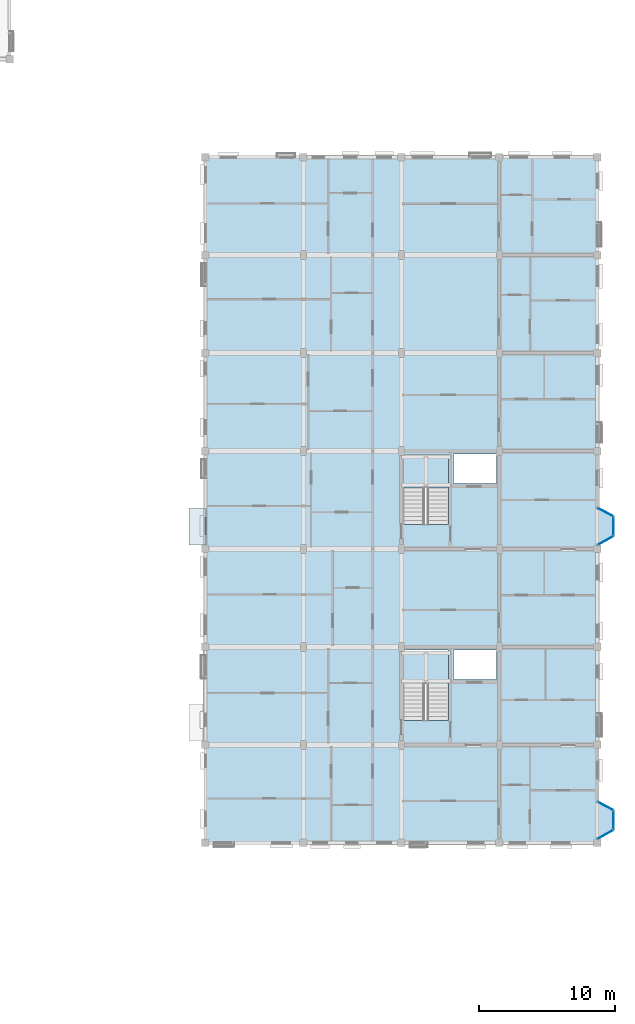
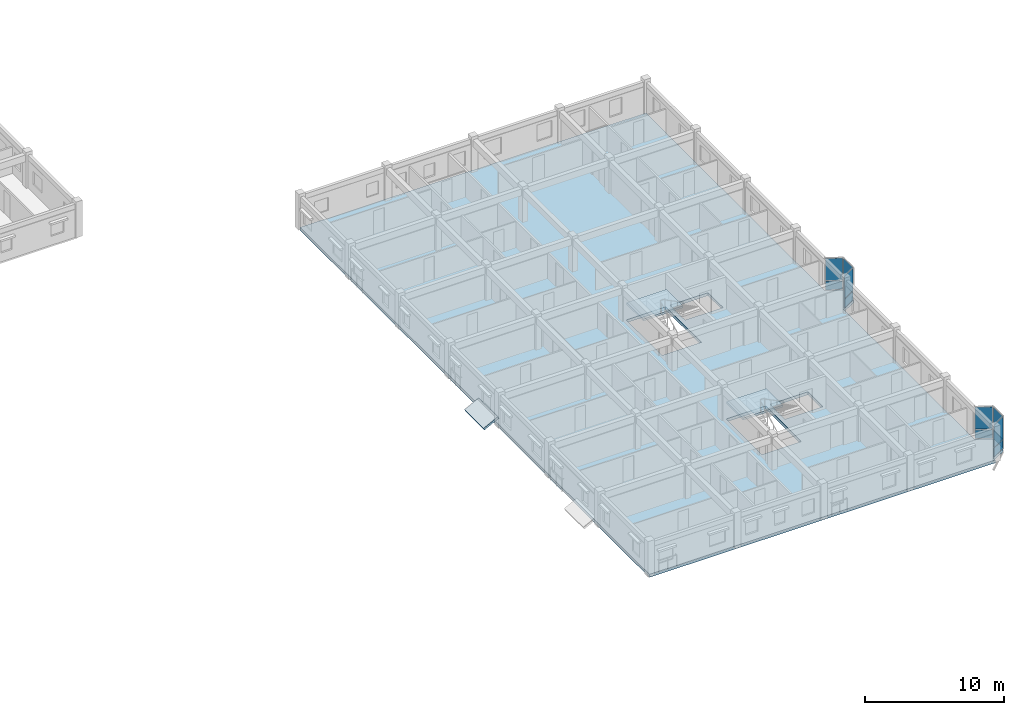
# One storey, part 43 of 75: 12 plates, 4 slabs, 8 elements without a shape of their own.
"""IFC4 building model written with IfcOpenShell, lengths in metres."""

from ifc_helpers import new_model, si_unit, direction, frame, origin, origin_2d, place, context, subcontext, project, spatial, polyline, rectangle, outline, extrude, material, layer, layer_set, type_object, element, aggregate, save


model = new_model("IFC4")

# Units and contexts
model_context = context("Model", 3, precision=1e-05, world=origin(), true_north=direction((0.0, 1.0)))
body_context = subcontext(model_context, "Body", "Model", "MODEL_VIEW")
ifc_project = project(units=[si_unit("LENGTHUNIT", "METRE"), si_unit("AREAUNIT", "SQUARE_METRE"), si_unit("VOLUMEUNIT", "CUBIC_METRE"), si_unit("PLANEANGLEUNIT", "RADIAN"), si_unit("MASSUNIT", "GRAM", prefix="KILO"), si_unit("THERMODYNAMICTEMPERATUREUNIT", "KELVIN"), si_unit("POWERUNIT", "WATT")], contexts=[model_context])

# Site, building, storey
site_placement = place(None, origin())
site = spatial("IfcSite", under=ifc_project, at=site_placement, CompositionType="ELEMENT")
building_placement = place(site_placement, origin())
building = spatial("IfcBuilding", under=site, at=building_placement, Name="Tavuni Mirador Residences", CompositionType="ELEMENT")
storey_placement = place(building_placement, frame((0.0, 0.0, 20.25)))
storey = spatial("IfcBuildingStorey", under=building, at=storey_placement, Name="L06", CompositionType="ELEMENT", Elevation=20.25)

# Curtain wall, plate
ifc_material_1 = material(Name="Anodised aluminium", Category="aluminium")
ifc_layer_1 = layer(ifc_material_1, 0.1650390625, Name="Anodised aluminium", Category="aluminium")
ifc_layer_set_1 = layer_set([ifc_layer_1], Name="Anodised aluminium")
curtain_wall_type_1 = type_object("IfcCurtainWallType", Name="CWT-MIR-A", PredefinedType="NOTDEFINED", material=ifc_layer_set_1)
curtain_wall_1_placement = place(storey_placement, origin())
curtain_wall_1 = element("IfcCurtainWall", 1, at=curtain_wall_1_placement, inside=storey, type_object=curtain_wall_type_1, Name="CW-MIR-D-E1-L06-M2", PredefinedType="NOTDEFINED")
ifc_material_2 = material(Name="Laminated solar-control glass", Category="glass")
ifc_layer_2 = layer(ifc_material_2, 0.02392578125, Name="Laminated solar-control glass", Category="glass")
ifc_layer_set_2 = layer_set([ifc_layer_2], Name="Laminated solar-control glass")
plate_type_1 = type_object("IfcPlateType", Name="CWP-GL24", PredefinedType="CURTAIN_PANEL", material=ifc_layer_set_2)
plate_1_placement = place(storey_placement, frame((119.39990234375, 89.10009765625, 0.8798828125), z_axis=(0.0, 0.0, 1.0), x_axis=(-0.882352941175, 0.470588235296, 0.0)))
plate_1 = element("IfcPlate", 2, at=plate_1_placement, type_object=plate_type_1, Name="CW-01 panel 1.2", PredefinedType="CURTAIN_PANEL", context=body_context, shape_type="SweptSolid", body=[
    extrude(rectangle(XDim=1.239990234375, YDim=0.02392578125, at=origin_2d()), origin(), (0.0, 0.0, 1.0), 1.949951171875),
])

ifc_layer_3 = layer(ifc_material_1, 0.14990234375, Name="Anodised aluminium", Category="aluminium")
ifc_layer_set_3 = layer_set([ifc_layer_3], Name="Anodised aluminium")
curtain_wall_type_2 = type_object("IfcCurtainWallType", Name="CWT-MIR-B", PredefinedType="NOTDEFINED", material=ifc_layer_set_3)
curtain_wall_2_placement = place(storey_placement, origin())
curtain_wall_2 = element("IfcCurtainWall", 3, at=curtain_wall_2_placement, inside=storey, type_object=curtain_wall_type_2, Name="CW-MIR-D-E2-L06-M1", PredefinedType="NOTDEFINED")
ifc_layer_4 = layer(ifc_material_2, 0.028076171875, Name="Laminated solar-control glass", Category="glass")
ifc_layer_set_4 = layer_set([ifc_layer_4], Name="Laminated solar-control glass")
plate_type_2 = type_object("IfcPlateType", Name="CWP-GL28", PredefinedType="CURTAIN_PANEL", material=ifc_layer_set_4)
plate_2_placement = place(storey_placement, frame((119.39990234375, 108.617431640625, 0.882568359375), z_axis=(0.0, 0.0, 1.0), x_axis=(0.868465738194, 0.495749192217, 0.0)))
plate_2 = element("IfcPlate", 4, at=plate_2_placement, type_object=plate_type_2, Name="CW-02 panel 1.2", PredefinedType="CURTAIN_PANEL", context=body_context, shape_type="SweptSolid", body=[
    extrude(rectangle(XDim=1.251708984375, YDim=0.028076171875, at=origin_2d()), origin(), (0.0, 0.0, 1.0), 1.9423828125),
])

ifc_layer_5 = layer(ifc_material_1, 0.175048828125, Name="Anodised aluminium", Category="aluminium")
ifc_layer_set_5 = layer_set([ifc_layer_5], Name="Anodised aluminium")
curtain_wall_type_3 = type_object("IfcCurtainWallType", Name="CWT-MIR-C", PredefinedType="NOTDEFINED", material=ifc_layer_set_5)
curtain_wall_3_placement = place(storey_placement, origin())
curtain_wall_3 = element("IfcCurtainWall", 5, at=curtain_wall_3_placement, inside=storey, type_object=curtain_wall_type_3, Name="CW-MIR-D-E1-L06-M1", PredefinedType="NOTDEFINED")
ifc_layer_6 = layer(ifc_material_2, 0.031982421875, Name="Laminated solar-control glass", Category="glass")
ifc_layer_set_6 = layer_set([ifc_layer_6], Name="Laminated solar-control glass")
plate_type_3 = type_object("IfcPlateType", Name="CWP-GL32", PredefinedType="CURTAIN_PANEL", material=ifc_layer_set_6)
plate_3_placement = place(storey_placement, frame((119.39990234375, 87.017578125, 0.8798828125), z_axis=(0.0, 0.0, 1.0), x_axis=(0.868465738194, 0.495749192217, 0.0)))
plate_3 = element("IfcPlate", 6, at=plate_3_placement, type_object=plate_type_3, Name="CW-03 panel 1.2", PredefinedType="CURTAIN_PANEL", context=body_context, shape_type="SweptSolid", body=[
    extrude(rectangle(XDim=1.26171875, YDim=0.031982421875, at=origin_2d()), origin(), (0.0, 0.0, 1.0), 1.949951171875),
])

curtain_wall_4_placement = place(storey_placement, origin())
curtain_wall_4 = element("IfcCurtainWall", 7, at=curtain_wall_4_placement, inside=storey, type_object=curtain_wall_type_3, Name="CW-MIR-D-E2-L06-MF", PredefinedType="NOTDEFINED")
plate_4_placement = place(storey_placement, frame((120.0, 109.669921875, 0.8798828125), z_axis=(0.0, 0.0, 1.0), x_axis=(0.0, 1.0, 0.0)))
plate_4 = element("IfcPlate", 8, at=plate_4_placement, type_object=plate_type_3, Name="CW-03 panel 1.2", PredefinedType="CURTAIN_PANEL", context=body_context, shape_type="SweptSolid", body=[
    extrude(rectangle(XDim=1.300048828125, YDim=0.031982421875, at=origin_2d()), origin(), (0.0, 0.0, 1.0), 1.949951171875),
])

ifc_layer_7 = layer(ifc_material_1, 0.159912109375, Name="Anodised aluminium", Category="aluminium")
ifc_layer_set_7 = layer_set([ifc_layer_7], Name="Anodised aluminium")
curtain_wall_type_4 = type_object("IfcCurtainWallType", Name="CWT-MIR-D", PredefinedType="NOTDEFINED", material=ifc_layer_set_7)
curtain_wall_5_placement = place(storey_placement, origin())
curtain_wall_5 = element("IfcCurtainWall", 9, at=curtain_wall_5_placement, inside=storey, type_object=curtain_wall_type_4, Name="CW-MIR-D-E1-L06-MF", PredefinedType="NOTDEFINED")
ifc_layer_8 = layer(ifc_material_2, 0.035888671875, Name="Laminated solar-control glass", Category="glass")
ifc_layer_set_8 = layer_set([ifc_layer_8], Name="Laminated solar-control glass")
plate_type_4 = type_object("IfcPlateType", Name="CWP-GL36", PredefinedType="CURTAIN_PANEL", material=ifc_layer_set_8)
plate_5_placement = place(storey_placement, frame((120.0, 88.070068359375, 0.882568359375), z_axis=(0.0, 0.0, 1.0), x_axis=(0.0, 1.0, 0.0)))
plate_5 = element("IfcPlate", 10, at=plate_5_placement, type_object=plate_type_4, Name="CW-04 panel 1.2", PredefinedType="CURTAIN_PANEL", context=body_context, shape_type="SweptSolid", body=[
    extrude(rectangle(XDim=1.2900390625, YDim=0.035888671875, at=origin_2d()), origin(), (0.0, 0.0, 1.0), 1.9423828125),
])

curtain_wall_6_placement = place(storey_placement, origin())
curtain_wall_6 = element("IfcCurtainWall", 11, at=curtain_wall_6_placement, inside=storey, type_object=curtain_wall_type_4, Name="CW-MIR-D-E2-L06-M2", PredefinedType="NOTDEFINED")
plate_6_placement = place(storey_placement, frame((119.39990234375, 110.699951171875, 0.882568359375), z_axis=(0.0, 0.0, 1.0), x_axis=(-0.882352941175, 0.470588235296, 0.0)))
plate_6 = element("IfcPlate", 12, at=plate_6_placement, type_object=plate_type_4, Name="CW-04 panel 1.2", PredefinedType="CURTAIN_PANEL", context=body_context, shape_type="SweptSolid", body=[
    extrude(rectangle(XDim=1.22998046875, YDim=0.035888671875, at=origin_2d()), origin(), (0.0, 0.0, 1.0), 1.9423828125),
])

# Plate
ifc_material_3 = material(Name="Ceramic trencadis mosaic panel", Category="masonry")
ifc_layer_9 = layer(ifc_material_3, 0.0419921875, Name="Ceramic trencadis mosaic panel", Category="masonry")
ifc_layer_set_9 = layer_set([ifc_layer_9], Name="Ceramic trencadis mosaic panel")
plate_type_5 = type_object("IfcPlateType", Name="CWP-SP42", PredefinedType="CURTAIN_PANEL", material=ifc_layer_set_9)
plate_7_placement = place(storey_placement, frame((119.39990234375, 87.017578125, 0.06005859375), z_axis=(0.0, 0.0, 1.0), x_axis=(0.868465738194, 0.495749192217, 0.0)))
plate_7 = element("IfcPlate", 13, at=plate_7_placement, type_object=plate_type_5, Name="CW-03 panel 1.1", PredefinedType="CURTAIN_PANEL", context=body_context, shape_type="SweptSolid", body=[
    extrude(rectangle(XDim=1.26171875, YDim=0.0419921875, at=origin_2d()), origin(), (0.0, 0.0, 1.0), 0.760009765625),
])

aggregate(curtain_wall_3, [plate_7, plate_3])

plate_8_placement = place(storey_placement, frame((119.39990234375, 89.10009765625, 0.06005859375), z_axis=(0.0, 0.0, 1.0), x_axis=(-0.882352941175, 0.470588235296, 0.0)))
plate_8 = element("IfcPlate", 14, at=plate_8_placement, type_object=plate_type_5, Name="CW-01 panel 1.1", PredefinedType="CURTAIN_PANEL", context=body_context, shape_type="SweptSolid", body=[
    extrude(rectangle(XDim=1.239990234375, YDim=0.0419921875, at=origin_2d()), origin(), (0.0, 0.0, 1.0), 0.760009765625),
])

aggregate(curtain_wall_1, [plate_8, plate_1])

plate_9_placement = place(storey_placement, frame((120.0, 109.669921875, 0.06005859375), z_axis=(0.0, 0.0, 1.0), x_axis=(0.0, 1.0, 0.0)))
plate_9 = element("IfcPlate", 15, at=plate_9_placement, type_object=plate_type_5, Name="CW-03 panel 1.1", PredefinedType="CURTAIN_PANEL", context=body_context, shape_type="SweptSolid", body=[
    extrude(rectangle(XDim=1.300048828125, YDim=0.0419921875, at=origin_2d()), origin(), (0.0, 0.0, 1.0), 0.760009765625),
])

aggregate(curtain_wall_4, [plate_9, plate_4])

ifc_layer_10 = layer(ifc_material_3, 0.048095703125, Name="Ceramic trencadis mosaic panel", Category="masonry")
ifc_layer_set_10 = layer_set([ifc_layer_10], Name="Ceramic trencadis mosaic panel")
plate_type_6 = type_object("IfcPlateType", Name="CWP-SP48", PredefinedType="CURTAIN_PANEL", material=ifc_layer_set_10)
plate_10_placement = place(storey_placement, frame((120.0, 88.070068359375, 0.06494140625), z_axis=(0.0, 0.0, 1.0), x_axis=(0.0, 1.0, 0.0)))
plate_10 = element("IfcPlate", 16, at=plate_10_placement, type_object=plate_type_6, Name="CW-04 panel 1.1", PredefinedType="CURTAIN_PANEL", context=body_context, shape_type="SweptSolid", body=[
    extrude(rectangle(XDim=1.2900390625, YDim=0.048095703125, at=origin_2d()), origin(), (0.0, 0.0, 1.0), 0.75244140625),
])

aggregate(curtain_wall_5, [plate_10, plate_5])

plate_11_placement = place(storey_placement, frame((119.39990234375, 108.617431640625, 0.06494140625), z_axis=(0.0, 0.0, 1.0), x_axis=(0.868465738194, 0.495749192217, 0.0)))
plate_11 = element("IfcPlate", 17, at=plate_11_placement, type_object=plate_type_6, Name="CW-02 panel 1.1", PredefinedType="CURTAIN_PANEL", context=body_context, shape_type="SweptSolid", body=[
    extrude(rectangle(XDim=1.251708984375, YDim=0.048095703125, at=origin_2d()), origin(), (0.0, 0.0, 1.0), 0.75244140625),
])

aggregate(curtain_wall_2, [plate_11, plate_2])

plate_12_placement = place(storey_placement, frame((119.39990234375, 110.699951171875, 0.06494140625), z_axis=(0.0, 0.0, 1.0), x_axis=(-0.882352941175, 0.470588235296, 0.0)))
plate_12 = element("IfcPlate", 18, at=plate_12_placement, type_object=plate_type_6, Name="CW-04 panel 1.1", PredefinedType="CURTAIN_PANEL", context=body_context, shape_type="SweptSolid", body=[
    extrude(rectangle(XDim=1.22998046875, YDim=0.048095703125, at=origin_2d()), origin(), (0.0, 0.0, 1.0), 0.75244140625),
])

aggregate(curtain_wall_6, [plate_12, plate_6])

# Slab
ifc_material_4 = material(Name="Prestressed concrete C45/55", Category="concrete")
ifc_layer_11 = layer(ifc_material_4, 0.260009765625, Name="Prestressed concrete C45/55", Category="concrete")
ifc_layer_set_11 = layer_set([ifc_layer_11], Name="Prestressed concrete C45/55")
slab_type_1 = type_object("IfcSlabType", Name="SLT-FLR260", PredefinedType="FLOOR", material=ifc_layer_set_11)
slab_1_placement = place(storey_placement, frame((0.0, 0.0, -0.260009765625)))
element("IfcSlab", 19, at=slab_1_placement, inside=storey, type_object=slab_type_1, Name="SLB-BLK-D-L06", PredefinedType="FLOOR", context=body_context, shape_type="SweptSolid", body=[
    extrude(outline(polyline([(90.0, 86.39990234375), (118.800048828125, 86.39990234375), (118.800048828125, 86.675048828125), (120.0, 87.360107421875), (120.0, 88.780029296875), (118.800048828125, 89.419921875), (118.800048828125, 108.27490234375), (120.0, 108.9599609375), (120.0, 110.3798828125), (118.800048828125, 111.02001953125), (118.800048828125, 136.800048828125), (90.0, 136.800048828125), (90.0, 86.39990234375)]), holes=[polyline([(104.56005859375, 95.407958984375), (107.840087890625, 95.407958984375), (107.840087890625, 100.56005859375), (104.56005859375, 100.56005859375), (104.56005859375, 95.407958984375)]), polyline([(108.219970703125, 98.419921875), (111.3798828125, 98.419921875), (111.3798828125, 100.580078125), (108.219970703125, 100.580078125), (108.219970703125, 98.419921875)]), polyline([(104.56005859375, 109.80810546875), (107.840087890625, 109.80810546875), (107.840087890625, 114.9599609375), (104.56005859375, 114.9599609375), (104.56005859375, 109.80810546875)]), polyline([(108.219970703125, 112.820068359375), (111.3798828125, 112.820068359375), (111.3798828125, 114.97998046875), (108.219970703125, 114.97998046875), (108.219970703125, 112.820068359375)])]), origin(), (0.0, 0.0, 1.0), 0.260009765625),
])

# Stair, slab
ifc_material_5 = material(Name="Precast concrete C40/50", Category="concrete")
stair_type = type_object("IfcStairType", Name="STT-TYP", PredefinedType="HALF_TURN_STAIR", material=ifc_material_5)
stair_1_placement = place(storey_placement, origin())
stair_1 = element("IfcStair", 20, at=stair_1_placement, inside=storey, type_object=stair_type, Name="Protected exit stair ST7 (L06)", PredefinedType="HALF_TURN_STAIR")
ifc_layer_12 = layer(ifc_material_5, 0.179931640625, Name="Precast concrete C40/50", Category="concrete")
ifc_layer_set_12 = layer_set([ifc_layer_12], Name="Precast concrete C40/50")
slab_type_2 = type_object("IfcSlabType", Name="SLT-LND180", PredefinedType="LANDING", material=ifc_layer_set_12)
slab_2_placement = place(storey_placement, frame((0.0, 0.0, 1.39501953125)))
slab_2 = element("IfcSlab", 21, at=slab_2_placement, type_object=slab_type_2, Name="ST7 landing 1", PredefinedType="LANDING", context=body_context, shape_type="SweptSolid", body=[
    extrude(outline(polyline([(104.5400390625, 98.092041015625), (107.860107421875, 98.092041015625), (107.860107421875, 100.5), (104.5400390625, 100.5), (104.5400390625, 98.092041015625)])), origin(), (0.0, 0.0, 1.0), 0.179931640625),
])
aggregate(stair_1, [slab_2])

stair_2_placement = place(storey_placement, origin())
stair_2 = element("IfcStair", 22, at=stair_2_placement, inside=storey, type_object=stair_type, Name="Protected exit stair ST8 (L06)", PredefinedType="HALF_TURN_STAIR")
slab_3_placement = place(storey_placement, frame((0.0, 0.0, 1.39501953125)))
slab_3 = element("IfcSlab", 23, at=slab_3_placement, type_object=slab_type_2, Name="ST8 landing 1", PredefinedType="LANDING", context=body_context, shape_type="SweptSolid", body=[
    extrude(outline(polyline([(104.5400390625, 112.491943359375), (107.860107421875, 112.491943359375), (107.860107421875, 114.89990234375), (104.5400390625, 114.89990234375), (104.5400390625, 112.491943359375)])), origin(), (0.0, 0.0, 1.0), 0.179931640625),
])
aggregate(stair_2, [slab_3])

# Slab
ifc_layer_13 = layer(ifc_material_5, 0.175048828125, Name="Precast concrete C40/50", Category="concrete")
ifc_layer_set_13 = layer_set([ifc_layer_13], Name="Precast concrete C40/50")
slab_type_3 = type_object("IfcSlabType", Name="SLT-RF175", PredefinedType="ROOF", material=ifc_layer_set_13)
slab_4_placement = place(storey_placement, frame((90.0, 108.27490234375, 0.6201171875), z_axis=(-0.45910327143, 0.0, 0.88838290515), x_axis=(0.0, 1.0, 0.0)))
element("IfcSlab", 24, at=slab_4_placement, inside=storey, type_object=slab_type_3, Name="Mirador roof hood MIR-D-W2", PredefinedType="ROOF", context=body_context, shape_type="SweptSolid", body=[
    extrude(outline(polyline([(0.0, 0.0), (2.7451171875, 0.0), (2.7451171875, 1.3507139375593544), (0.0, 1.3507139375593544), (0.0, 0.0)])), origin(), (0.0, 0.0, -1.0), 0.175048828125),
])

save(model, "model.ifc")
